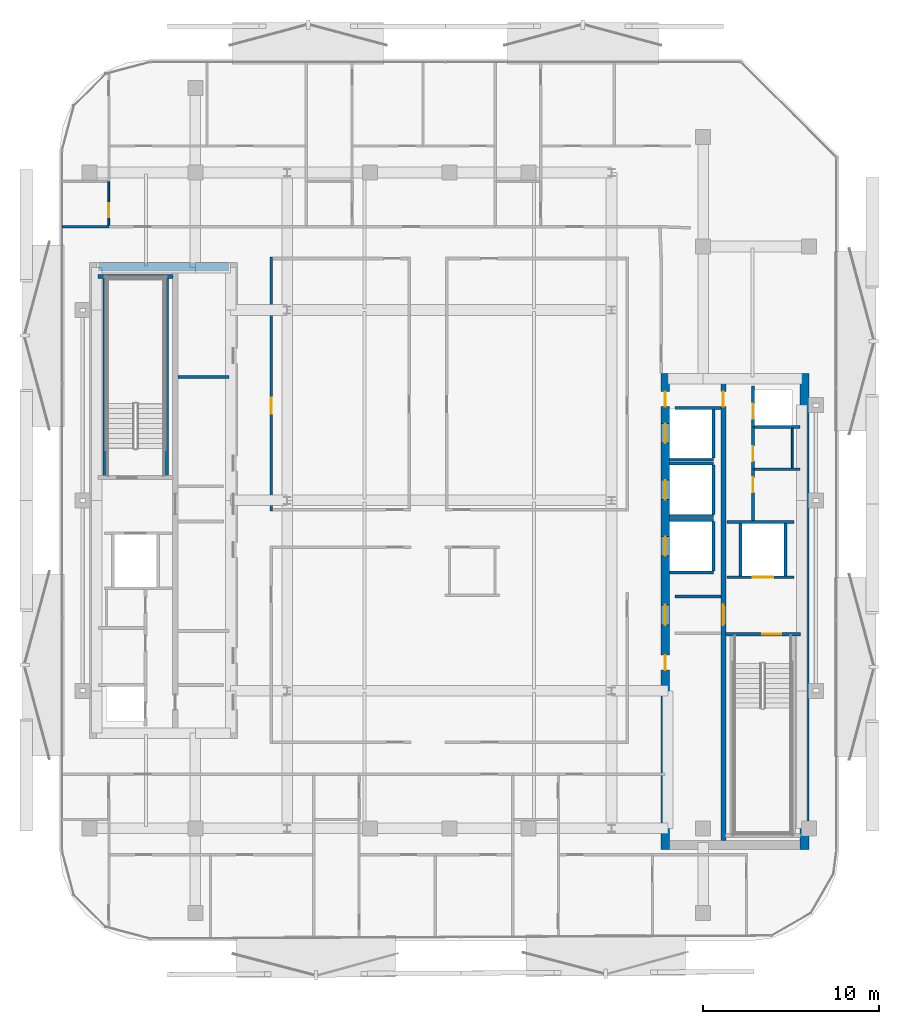
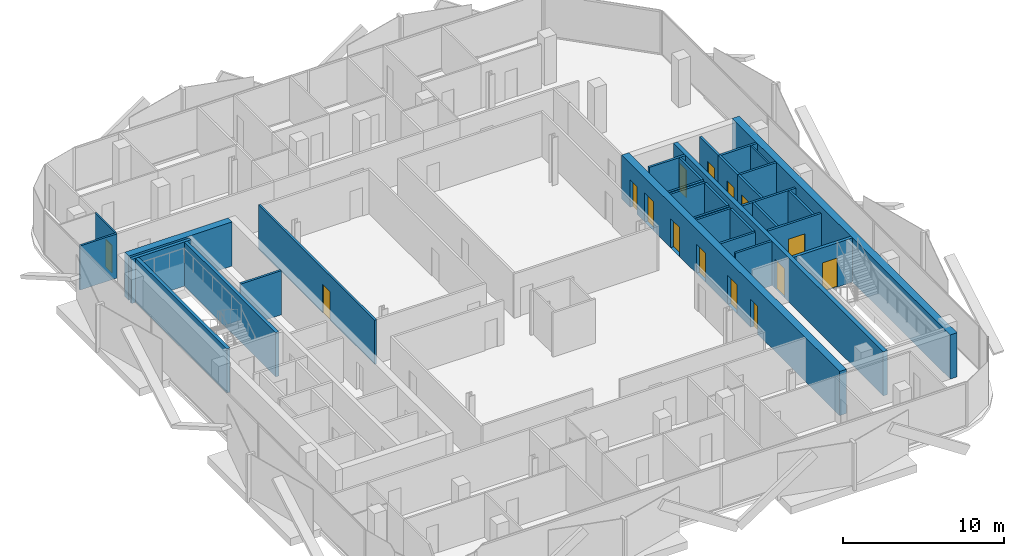
# One storey, part 5 of 15: 32 walls, 15 doors, 15 openings.
"""IFC4 building model written with IfcOpenShell, lengths in metres."""

from ifc_helpers import new_model, si_unit, direction, frame, frame_2d, origin, place, context, subcontext, project, spatial, rectangle, extrude, material, layer, layer_set, type_object, element, fill, save


model = new_model("IFC4")

# Units and contexts
model_context = context("Model", 3, precision=1e-05, world=origin(), true_north=direction((0.0, 1.0)))
body_context = subcontext(model_context, "Body", "Model", "MODEL_VIEW")
ifc_project = project(units=[si_unit("LENGTHUNIT", "METRE"), si_unit("AREAUNIT", "SQUARE_METRE"), si_unit("VOLUMEUNIT", "CUBIC_METRE"), si_unit("PLANEANGLEUNIT", "RADIAN"), si_unit("MASSUNIT", "GRAM", prefix="KILO")], contexts=[model_context])

# Site, building, storey
site_placement = place(None, origin())
site = spatial("IfcSite", under=ifc_project, at=site_placement, CompositionType="ELEMENT")
building_placement = place(site_placement, origin())
building = spatial("IfcBuilding", under=site, at=building_placement, Name="Khairoan Windgate Tower", CompositionType="ELEMENT")
storey_placement = place(building_placement, frame((0.0, 0.0, 244.0)))
storey = spatial("IfcBuildingStorey", under=building, at=storey_placement, Name="L57", CompositionType="ELEMENT", Elevation=244.0)

# Wall, opening, door
ifc_material_1 = material(Name="Moisture-Resistant Gypsum Partition", Category="gypsum")
ifc_layer_1 = layer(ifc_material_1, 0.10009765625, Name="Moisture-Resistant Gypsum Partition")
ifc_layer_set_1 = layer_set([ifc_layer_1], Name="Moisture-Resistant Gypsum Partition")
wall_type_1 = type_object("IfcWallType", Name="Bathroom Wet-Area Partition Wall", PredefinedType="PARTITIONING", material=ifc_layer_set_1)
wall_1_placement = place(storey_placement, frame((-19.31005859375, 15.60009765625, 0.0), z_axis=(0.0, 0.0, 1.0), x_axis=(0.0, 1.0, 0.0)))
wall_1 = element("IfcWall", 1, at=wall_1_placement, inside=storey, type_object=wall_type_1, Name="L57 Interior Partition 042", PredefinedType="PARTITIONING", context=body_context, shape_type="SweptSolid", body=[
    extrude(rectangle(XDim=2.5, YDim=0.10009765625, at=frame_2d((1.25, 0.0))), origin(), (0.0, 0.0, 1.0), 3.340087890625),
])
opening_1_placement = place(wall_1_placement, frame((0.4599609375, 0.0, 0.0)))
opening_1 = element("IfcOpeningElement", 2, at=opening_1_placement, cuts=wall_1, Name="Opening ID-BTH", PredefinedType="OPENING", context=body_context, shape_type="SweptSolid", body=[
    extrude(rectangle(XDim=0.800048828125, YDim=2.10009765625, at=frame_2d((0.39990234375, 1.050048828125))), frame((0.0, 0.06005859375, 0.0), z_axis=(0.0, -1.0, 0.0), x_axis=(1.0, 0.0, 0.0)), (0.0, 0.0, 1.0), 0.1201171875),
])
ifc_material_2 = material(Name="Teak Veneer Timber Leaf", Category="wood")
door_type_1 = type_object("IfcDoorType", Name="Internal Bathroom Door ID-BTH 800x2100", OperationType="NOTDEFINED", PredefinedType="DOOR", material=ifc_material_2)
door_1_placement = place(opening_1_placement, origin())
door_1 = element("IfcDoor", 3, at=door_1_placement, inside=storey, type_object=door_type_1, Name="L57 L57-33-L57-35 Door", OperationType="SINGLE_SWING_LEFT", OverallHeight=2.10009765625, OverallWidth=0.800048828125, PredefinedType="DOOR", context=body_context, shape_type="SweptSolid", body=[
    extrude(rectangle(XDim=0.800048828125, YDim=2.10009765625, at=frame_2d((0.39990234375, 1.050048828125))), frame((0.0, 0.02490234375, 0.0), z_axis=(0.0, -1.0, 0.0), x_axis=(1.0, 0.0, 0.0)), (0.0, 0.0, 1.0), 0.050048828125),
])
fill(opening_1, door_1)

# Walls
wall_2_placement = place(storey_placement, frame((19.449951171875, 4.090087890625, 0.0), z_axis=(0.0, 0.0, 1.0), x_axis=(0.0, -1.0, 0.0)))
element("IfcWall", 4, at=wall_2_placement, inside=storey, type_object=wall_type_1, Name="L57 Wet Room Side Wall 099", PredefinedType="PARTITIONING", context=body_context, shape_type="SweptSolid", body=[
    extrude(rectangle(XDim=2.239990234375, YDim=0.10009765625, at=frame_2d((1.1201171875, 0.0))), origin(), (0.0, 0.0, 1.0), 3.340087890625),
])
ifc_material_3 = material(Name="Concrete C40/50", Category="concrete")
ifc_layer_2 = layer(ifc_material_3, 0.159912109375, Name="Concrete C40/50")
ifc_layer_set_2 = layer_set([ifc_layer_2], Name="Concrete C40/50")
wall_type_2 = type_object("IfcWallType", Name="Core and Hoistway Enclosure Wall", PredefinedType="STANDARD", material=ifc_layer_set_2)
wall_3_placement = place(storey_placement, frame((12.5, 2.31005859375, 0.0), z_axis=(0.0, 0.0, 1.0), x_axis=(1.0, 0.0, 0.0)))
element("IfcWall", 5, at=wall_3_placement, inside=storey, type_object=wall_type_2, Name="L57 Lift PL7 Hoistway Divider S", PredefinedType="STANDARD", context=body_context, shape_type="SweptSolid", body=[
    extrude(rectangle(XDim=2.489990234375, YDim=0.159912109375, at=frame_2d((1.2451171875, 0.0))), origin(), (0.0, 0.0, 1.0), 3.340087890625),
])
wall_4_placement = place(storey_placement, frame((14.989990234375, 2.39990234375, 0.0), z_axis=(0.0, 0.0, 1.0), x_axis=(0.0, 1.0, 0.0)))
element("IfcWall", 6, at=wall_4_placement, inside=storey, type_object=wall_type_2, Name="L57 Lift PL7 Hoistway Back Wall", PredefinedType="STANDARD", context=body_context, shape_type="SweptSolid", body=[
    extrude(rectangle(XDim=2.800048828125, YDim=0.159912109375, at=frame_2d((1.39990234375, 0.0))), origin(), (0.0, 0.0, 1.0), 3.340087890625),
])
for number, where, z_axis, x_axis, name in (
    (7, (12.5, -0.889892578125, 0.0), (0.0, 0.0, 1.0), (1.0, 0.0, 0.0), "L57 Lift PL8 Hoistway Divider S"),
    (8, (12.5, 2.090087890625, 0.0), (0.0, 0.0, 1.0), (1.0, 0.0, 0.0), "L57 Lift PL8 Hoistway Divider N"),
):
    element("IfcWall", number, at=place(storey_placement, frame(where, z_axis=z_axis, x_axis=x_axis)), inside=storey, type_object=wall_type_2, Name=name, PredefinedType="STANDARD", context=body_context, shape_type="SweptSolid", body=[
        extrude(rectangle(XDim=2.489990234375, YDim=0.159912109375, at=frame_2d((1.2451171875, 0.0))), origin(), (0.0, 0.0, 1.0), 3.340087890625),
    ])
wall_5_placement = place(storey_placement, frame((14.989990234375, -0.800048828125, 0.0), z_axis=(0.0, 0.0, 1.0), x_axis=(0.0, 1.0, 0.0)))
element("IfcWall", 9, at=wall_5_placement, inside=storey, type_object=wall_type_2, Name="L57 Lift PL8 Hoistway Back Wall", PredefinedType="STANDARD", context=body_context, shape_type="SweptSolid", body=[
    extrude(rectangle(XDim=2.800048828125, YDim=0.159912109375, at=frame_2d((1.39990234375, 0.0))), origin(), (0.0, 0.0, 1.0), 3.340087890625),
])
for number, where, z_axis, x_axis, name in (
    (10, (12.5, -4.090087890625, 0.0), (0.0, 0.0, 1.0), (1.0, 0.0, 0.0), "L57 Lift PL9 Hoistway Divider S"),
    (11, (12.5, -1.110107421875, 0.0), (0.0, 0.0, 1.0), (1.0, 0.0, 0.0), "L57 Lift PL9 Hoistway Divider N"),
):
    element("IfcWall", number, at=place(storey_placement, frame(where, z_axis=z_axis, x_axis=x_axis)), inside=storey, type_object=wall_type_2, Name=name, PredefinedType="STANDARD", context=body_context, shape_type="SweptSolid", body=[
        extrude(rectangle(XDim=2.489990234375, YDim=0.159912109375, at=frame_2d((1.2451171875, 0.0))), origin(), (0.0, 0.0, 1.0), 3.340087890625),
    ])
wall_6_placement = place(storey_placement, frame((14.989990234375, -4.0, 0.0), z_axis=(0.0, 0.0, 1.0), x_axis=(0.0, 1.0, 0.0)))
element("IfcWall", 12, at=wall_6_placement, inside=storey, type_object=wall_type_2, Name="L57 Lift PL9 Hoistway Back Wall", PredefinedType="STANDARD", context=body_context, shape_type="SweptSolid", body=[
    extrude(rectangle(XDim=2.800048828125, YDim=0.159912109375, at=frame_2d((1.39990234375, 0.0))), origin(), (0.0, 0.0, 1.0), 3.340087890625),
])

# Wall, opening, door
wall_7_placement = place(storey_placement, frame((15.75, -4.360107421875, 0.0), z_axis=(0.0, 0.0, 1.0), x_axis=(1.0, 0.0, 0.0)))
wall_7 = element("IfcWall", 13, at=wall_7_placement, inside=storey, type_object=wall_type_2, Name="L57 Core Shaft Wall SW-FL1-L57", PredefinedType="STANDARD", context=body_context, shape_type="SweptSolid", body=[
    extrude(rectangle(XDim=3.800048828125, YDim=0.159912109375, at=frame_2d((1.89990234375, 0.0))), origin(), (0.0, 0.0, 1.0), 3.340087890625),
])
opening_2_placement = place(wall_7_placement, frame((1.469970703125, 0.0, 0.0)))
opening_2 = element("IfcOpeningElement", 14, at=opening_2_placement, cuts=wall_7, Name="Opening LD-FL", PredefinedType="OPENING", context=body_context, shape_type="SweptSolid", body=[
    extrude(rectangle(XDim=1.14990234375, YDim=2.199951171875, at=frame_2d((0.574951171875, 1.10009765625))), frame((0.0, 0.08984375, 0.0), z_axis=(0.0, -1.0, 0.0), x_axis=(1.0, 0.0, 0.0)), (0.0, 0.0, 1.0), 0.179931640625),
])
ifc_material_4 = material(Name="Steel S355", Category="steel")
door_type_2 = type_object("IfcDoorType", Name="Firefighting Lift Sliding Landing Door LD-FL 1150x2200", OperationType="DOUBLE_DOOR_SLIDING", PredefinedType="DOOR", material=ifc_material_4)
door_2_placement = place(opening_2_placement, origin())
door_2 = element("IfcDoor", 15, at=door_2_placement, inside=storey, type_object=door_type_2, Name="L57 Firefighting Lift FL1 Landing Door", OperationType="DOUBLE_DOOR_SLIDING", OverallHeight=2.199951171875, OverallWidth=1.14990234375, PredefinedType="DOOR", context=body_context, shape_type="SweptSolid", body=[
    extrude(rectangle(XDim=1.14990234375, YDim=2.199951171875, at=frame_2d((0.574951171875, 1.10009765625))), frame((0.0, 0.02490234375, 0.0), z_axis=(0.0, -1.0, 0.0), x_axis=(1.0, 0.0, 0.0)), (0.0, 0.0, 1.0), 0.050048828125),
])
fill(opening_2, door_2)

# Walls
wall_8_placement = place(storey_placement, frame((15.75, -1.219970703125, 0.0), z_axis=(0.0, 0.0, 1.0), x_axis=(1.0, 0.0, 0.0)))
element("IfcWall", 16, at=wall_8_placement, inside=storey, type_object=wall_type_2, Name="L57 Core Shaft Wall SW-FL1T-L57", PredefinedType="STANDARD", context=body_context, shape_type="SweptSolid", body=[
    extrude(rectangle(XDim=3.800048828125, YDim=0.159912109375, at=frame_2d((1.89990234375, 0.0))), origin(), (0.0, 0.0, 1.0), 3.340087890625),
])
for number, where, z_axis, x_axis, name in (
    (17, (16.52001953125, -4.280029296875, 0.0), (0.0, 0.0, 1.0), (0.0, 1.0, 0.0), "L57 Core Shaft Wall SW-FL1W-L57"),
    (18, (19.080078125, -4.280029296875, 0.0), (0.0, 0.0, 1.0), (0.0, 1.0, 0.0), "L57 Core Shaft Wall SW-FL1E-L57"),
):
    element("IfcWall", number, at=place(storey_placement, frame(where, z_axis=z_axis, x_axis=x_axis)), inside=storey, type_object=wall_type_2, Name=name, PredefinedType="STANDARD", context=body_context, shape_type="SweptSolid", body=[
        extrude(rectangle(XDim=2.97998046875, YDim=0.159912109375, at=frame_2d((1.489990234375, 0.0))), origin(), (0.0, 0.0, 1.0), 3.340087890625),
    ])
for number, where, z_axis, x_axis, name in (
    (19, (12.800048828125, -5.449951171875, 0.0), (0.0, 0.0, 1.0), (1.0, 0.0, 0.0), "L57 Core Shaft Wall SW-EV1-L57"),
    (20, (12.800048828125, 5.25, 0.0), (0.0, 0.0, 1.0), (1.0, 0.0, 0.0), "L57 Core Shaft Wall SW-ESV-L57"),
):
    element("IfcWall", number, at=place(storey_placement, frame(where, z_axis=z_axis, x_axis=x_axis)), inside=storey, type_object=wall_type_2, Name=name, PredefinedType="STANDARD", context=body_context, shape_type="SweptSolid", body=[
        extrude(rectangle(XDim=2.599853515625, YDim=0.159912109375, at=frame_2d((1.2998046875, 0.0))), origin(), (0.0, 0.0, 1.0), 3.340087890625),
    ])
ifc_material_5 = material(Name="Concrete C40/50", Category="concrete")
ifc_layer_3 = layer(ifc_material_5, 0.159912109375, Name="Concrete C40/50")
ifc_layer_set_3 = layer_set([ifc_layer_3], Name="Concrete C40/50")
wall_type_3 = type_object("IfcWallType", Name="Plant and Refuge Compartment Wall", PredefinedType="PARTITIONING", material=ifc_layer_set_3)
wall_9_placement = place(storey_placement, frame((-15.39990234375, 7.0, 0.0), z_axis=(0.0, 0.0, 1.0), x_axis=(1.0, 0.0, 0.0)))
element("IfcWall", 21, at=wall_9_placement, inside=storey, type_object=wall_type_3, Name="L57 Interior Partition 006", PredefinedType="PARTITIONING", context=body_context, shape_type="SweptSolid", body=[
    extrude(rectangle(XDim=2.89990234375, YDim=0.159912109375, at=frame_2d((1.449951171875, 0.0))), origin(), (0.0, 0.0, 1.0), 3.340087890625),
])

# Wall, opening, door
wall_10_placement = place(storey_placement, frame((17.22998046875, 4.169921875, 0.0), z_axis=(0.0, 0.0, 1.0), x_axis=(0.0, 1.0, 0.0)))
wall_10 = element("IfcWall", 22, at=wall_10_placement, inside=storey, type_object=wall_type_3, Name="L57 Interior Partition 008", PredefinedType="PARTITIONING", context=body_context, shape_type="SweptSolid", body=[
    extrude(rectangle(XDim=2.320068359375, YDim=0.159912109375, at=frame_2d((1.16015625, 0.0))), origin(), (0.0, 0.0, 1.0), 3.340087890625),
])
opening_3_placement = place(wall_10_placement, frame((0.4599609375, 0.0, 0.0)))
opening_3 = element("IfcOpeningElement", 23, at=opening_3_placement, cuts=wall_10, Name="Opening FD-SRV", PredefinedType="OPENING", context=body_context, shape_type="SweptSolid", body=[
    extrude(rectangle(XDim=0.85009765625, YDim=2.10009765625, at=frame_2d((0.425048828125, 1.050048828125))), frame((0.0, 0.08984375, 0.0), z_axis=(0.0, -1.0, 0.0), x_axis=(1.0, 0.0, 0.0)), (0.0, 0.0, 1.0), 0.179931640625),
])
ifc_material_6 = material(Name="Steel S355", Category="steel")
door_type_3 = type_object("IfcDoorType", Name="Core Service and Riser Fire Door FD-SRV 850x2100", OperationType="NOTDEFINED", PredefinedType="DOOR", material=ifc_material_6)
door_3_placement = place(opening_3_placement, origin())
door_3 = element("IfcDoor", 24, at=door_3_placement, inside=storey, type_object=door_type_3, Name="L57 L57-17-L57-18 Door", OperationType="SINGLE_SWING_RIGHT", OverallHeight=2.10009765625, OverallWidth=0.85009765625, PredefinedType="DOOR", context=body_context, shape_type="SweptSolid", body=[
    extrude(rectangle(XDim=0.85009765625, YDim=2.10009765625, at=frame_2d((0.425048828125, 1.050048828125))), frame((0.0, 0.02490234375, 0.0), z_axis=(0.0, -1.0, 0.0), x_axis=(1.0, 0.0, 0.0)), (0.0, 0.0, 1.0), 0.050048828125),
])
fill(opening_3, door_3)

wall_11_placement = place(storey_placement, frame((17.22998046875, 1.77001953125, 0.0), z_axis=(0.0, 0.0, 1.0), x_axis=(0.0, 1.0, 0.0)))
wall_11 = element("IfcWall", 25, at=wall_11_placement, inside=storey, type_object=wall_type_3, Name="L57 Interior Partition 009", PredefinedType="PARTITIONING", context=body_context, shape_type="SweptSolid", body=[
    extrude(rectangle(XDim=2.39990234375, YDim=0.159912109375, at=frame_2d((1.199951171875, 0.0))), origin(), (0.0, 0.0, 1.0), 3.340087890625),
])
opening_4_placement = place(wall_11_placement, frame((0.4599609375, 0.0, 0.0)))
opening_4 = element("IfcOpeningElement", 26, at=opening_4_placement, cuts=wall_11, Name="Opening FD-SRV", PredefinedType="OPENING", context=body_context, shape_type="SweptSolid", body=[
    extrude(rectangle(XDim=0.85009765625, YDim=2.10009765625, at=frame_2d((0.425048828125, 1.050048828125))), frame((0.0, 0.08984375, 0.0), z_axis=(0.0, -1.0, 0.0), x_axis=(1.0, 0.0, 0.0)), (0.0, 0.0, 1.0), 0.179931640625),
])
door_4_placement = place(opening_4_placement, origin())
door_4 = element("IfcDoor", 27, at=door_4_placement, inside=storey, type_object=door_type_3, Name="L57 L57-17-L57-19 Door", OperationType="SINGLE_SWING_LEFT", OverallHeight=2.10009765625, OverallWidth=0.85009765625, PredefinedType="DOOR", context=body_context, shape_type="SweptSolid", body=[
    extrude(rectangle(XDim=0.85009765625, YDim=2.10009765625, at=frame_2d((0.425048828125, 1.050048828125))), frame((0.0, 0.02490234375, 0.0), z_axis=(0.0, -1.0, 0.0), x_axis=(1.0, 0.0, 0.0)), (0.0, 0.0, 1.0), 0.050048828125),
])
fill(opening_4, door_4)

wall_12_placement = place(storey_placement, frame((17.22998046875, -1.139892578125, 0.0), z_axis=(0.0, 0.0, 1.0), x_axis=(0.0, 1.0, 0.0)))
wall_12 = element("IfcWall", 28, at=wall_12_placement, inside=storey, type_object=wall_type_3, Name="L57 Interior Partition 010", PredefinedType="PARTITIONING", context=body_context, shape_type="SweptSolid", body=[
    extrude(rectangle(XDim=2.909912109375, YDim=0.159912109375, at=frame_2d((1.455078125, 0.0))), origin(), (0.0, 0.0, 1.0), 3.340087890625),
])
opening_5_placement = place(wall_12_placement, frame((1.60009765625, 0.0, 0.0)))
opening_5 = element("IfcOpeningElement", 29, at=opening_5_placement, cuts=wall_12, Name="Opening FD-SRV", PredefinedType="OPENING", context=body_context, shape_type="SweptSolid", body=[
    extrude(rectangle(XDim=0.85009765625, YDim=2.10009765625, at=frame_2d((0.425048828125, 1.050048828125))), frame((0.0, 0.08984375, 0.0), z_axis=(0.0, -1.0, 0.0), x_axis=(1.0, 0.0, 0.0)), (0.0, 0.0, 1.0), 0.179931640625),
])
door_5_placement = place(opening_5_placement, origin())
door_5 = element("IfcDoor", 30, at=door_5_placement, inside=storey, type_object=door_type_3, Name="L57 L57-17-L57-20 Door", OperationType="SINGLE_SWING_RIGHT", OverallHeight=2.10009765625, OverallWidth=0.85009765625, PredefinedType="DOOR", context=body_context, shape_type="SweptSolid", body=[
    extrude(rectangle(XDim=0.85009765625, YDim=2.10009765625, at=frame_2d((0.425048828125, 1.050048828125))), frame((0.0, 0.02490234375, 0.0), z_axis=(0.0, -1.0, 0.0), x_axis=(1.0, 0.0, 0.0)), (0.0, 0.0, 1.0), 0.050048828125),
])
fill(opening_5, door_5)

# Walls
for number, where, z_axis, x_axis, name in (
    (31, (17.31005859375, 4.169921875, 0.0), (0.0, 0.0, 1.0), (1.0, 0.0, 0.0), "L57 Interior Partition 011"),
    (32, (17.31005859375, 1.77001953125, 0.0), (0.0, 0.0, 1.0), (1.0, 0.0, 0.0), "L57 Interior Partition 012"),
):
    element("IfcWall", number, at=place(storey_placement, frame(where, z_axis=z_axis, x_axis=x_axis)), inside=storey, type_object=wall_type_3, Name=name, PredefinedType="PARTITIONING", context=body_context, shape_type="SweptSolid", body=[
        extrude(rectangle(XDim=2.58984375, YDim=0.159912109375, at=frame_2d((1.294921875, 0.0))), origin(), (0.0, 0.0, 1.0), 3.340087890625),
    ])

# Wall, opening, door
ifc_material_7 = material(Name="Acoustic Fire-Rated Gypsum Partition", Category="gypsum")
ifc_layer_4 = layer(ifc_material_7, 0.14990234375, Name="Acoustic Fire-Rated Gypsum Partition")
ifc_layer_set_4 = layer_set([ifc_layer_4], Name="Acoustic Fire-Rated Gypsum Partition")
wall_type_4 = type_object("IfcWallType", Name="Rated Corridor Partition Wall", PredefinedType="PARTITIONING", material=ifc_layer_set_4)
wall_13_placement = place(storey_placement, frame((-10.10009765625, -0.610107421875, 0.0), z_axis=(0.0, 0.0, 1.0), x_axis=(0.0, 1.0, 0.0)))
wall_13 = element("IfcWall", 33, at=wall_13_placement, inside=storey, type_object=wall_type_4, Name="L57 Interior Partition 013", PredefinedType="PARTITIONING", context=body_context, shape_type="SweptSolid", body=[
    extrude(rectangle(XDim=14.405029296875, YDim=0.14990234375, at=frame_2d((7.20263671875, 0.0))), origin(), (0.0, 0.0, 1.0), 3.340087890625),
])
opening_6_placement = place(wall_13_placement, frame((5.53466796875, 0.0, 0.0)))
opening_6 = element("IfcOpeningElement", 34, at=opening_6_placement, cuts=wall_13, Name="Opening FD-ENT", PredefinedType="OPENING", context=body_context, shape_type="SweptSolid", body=[
    extrude(rectangle(XDim=0.89990234375, YDim=2.14990234375, at=frame_2d((0.449951171875, 1.074951171875))), frame((0.0, 0.0849609375, 0.0), z_axis=(0.0, -1.0, 0.0), x_axis=(1.0, 0.0, 0.0)), (0.0, 0.0, 1.0), 0.169921875),
])
ifc_material_8 = material(Name="Timber Fire-Rated Core", Category="wood")
door_type_4 = type_object("IfcDoorType", Name="Unit and Office Fire Entrance Door FD-ENT 900x2150", OperationType="NOTDEFINED", PredefinedType="DOOR", material=ifc_material_8)
door_6_placement = place(opening_6_placement, origin())
door_6 = element("IfcDoor", 35, at=door_6_placement, inside=storey, type_object=door_type_4, Name="L57 L57-27-L57-65 Door", OperationType="SINGLE_SWING_LEFT", OverallHeight=2.14990234375, OverallWidth=0.89990234375, PredefinedType="DOOR", context=body_context, shape_type="SweptSolid", body=[
    extrude(rectangle(XDim=0.89990234375, YDim=2.14990234375, at=frame_2d((0.449951171875, 1.074951171875))), frame((0.0, 0.02490234375, 0.0), z_axis=(0.0, -1.0, 0.0), x_axis=(1.0, 0.0, 0.0)), (0.0, 0.0, 1.0), 0.050048828125),
])
fill(opening_6, door_6)

# Wall
wall_14_placement = place(storey_placement, frame((-21.955078125, 15.52490234375, 0.0), z_axis=(0.0, 0.0, 1.0), x_axis=(1.0, 0.0, 0.0)))
element("IfcWall", 36, at=wall_14_placement, inside=storey, type_object=wall_type_4, Name="L57 Interior Partition 024", PredefinedType="PARTITIONING", context=body_context, shape_type="SweptSolid", body=[
    extrude(rectangle(XDim=2.64501953125, YDim=0.14990234375, at=frame_2d((1.322509765625, 0.0))), origin(), (0.0, 0.0, 1.0), 3.340087890625),
])

# Wall, openings, doors
ifc_material_9 = material(Name="Concrete C50/60", Category="concrete")
ifc_layer_5 = layer(ifc_material_9, 0.5, Name="Concrete C50/60")
ifc_layer_set_5 = layer_set([ifc_layer_5], Name="Concrete C50/60")
wall_type_5 = type_object("IfcWallType", Name="Shear Wall CW-E3 500mm", PredefinedType="SHEAR", material=ifc_layer_set_5)
wall_15_placement = place(storey_placement, frame((12.25, -19.800048828125, 0.0), z_axis=(0.0, 0.0, 1.0), x_axis=(0.0, 1.0, 0.0)))
wall_15 = element("IfcWall", 37, at=wall_15_placement, inside=storey, type_object=wall_type_5, Name="E Core West Shear Wall L57", PredefinedType="SHEAR", context=body_context, shape_type="SweptSolid", body=[
    extrude(rectangle(XDim=27.0, YDim=0.5, at=frame_2d((13.5, 0.0))), origin(), (0.0, 0.0, 1.0), 3.340087890625),
])
opening_7_placement = place(wall_15_placement, frame((23.050048828125, 0.0, 0.0)))
opening_7 = element("IfcOpeningElement", 38, at=opening_7_placement, cuts=wall_15, Name="Opening LD-PL", PredefinedType="OPENING", context=body_context, shape_type="SweptSolid", body=[
    extrude(rectangle(XDim=1.10009765625, YDim=2.199951171875, at=frame_2d((0.550048828125, 1.10009765625))), frame((0.0, 0.260009765625, 0.0), z_axis=(0.0, -1.0, 0.0), x_axis=(1.0, 0.0, 0.0)), (0.0, 0.0, 1.0), 0.52001953125),
])
opening_8_placement = place(wall_15_placement, frame((19.85009765625, 0.0, 0.0)))
opening_8 = element("IfcOpeningElement", 39, at=opening_8_placement, cuts=wall_15, Name="Opening LD-PL", PredefinedType="OPENING", context=body_context, shape_type="SweptSolid", body=[
    extrude(rectangle(XDim=1.10009765625, YDim=2.199951171875, at=frame_2d((0.550048828125, 1.10009765625))), frame((0.0, 0.260009765625, 0.0), z_axis=(0.0, -1.0, 0.0), x_axis=(1.0, 0.0, 0.0)), (0.0, 0.0, 1.0), 0.52001953125),
])
opening_9_placement = place(wall_15_placement, frame((16.64990234375, 0.0, 0.0)))
opening_9 = element("IfcOpeningElement", 40, at=opening_9_placement, cuts=wall_15, Name="Opening LD-PL", PredefinedType="OPENING", context=body_context, shape_type="SweptSolid", body=[
    extrude(rectangle(XDim=1.10009765625, YDim=2.199951171875, at=frame_2d((0.550048828125, 1.10009765625))), frame((0.0, 0.260009765625, 0.0), z_axis=(0.0, -1.0, 0.0), x_axis=(1.0, 0.0, 0.0)), (0.0, 0.0, 1.0), 0.52001953125),
])
opening_10_placement = place(wall_15_placement, frame((10.175048828125, 0.0, 0.0)))
opening_10 = element("IfcOpeningElement", 41, at=opening_10_placement, cuts=wall_15, Name="Opening FD-SRV", PredefinedType="OPENING", context=body_context, shape_type="SweptSolid", body=[
    extrude(rectangle(XDim=0.85009765625, YDim=2.10009765625, at=frame_2d((0.425048828125, 1.050048828125))), frame((0.0, 0.260009765625, 0.0), z_axis=(0.0, -1.0, 0.0), x_axis=(1.0, 0.0, 0.0)), (0.0, 0.0, 1.0), 0.52001953125),
])
opening_11_placement = place(wall_15_placement, frame((12.72509765625, 0.0, 0.0)))
opening_11 = element("IfcOpeningElement", 42, at=opening_11_placement, cuts=wall_15, Name="Opening FD-FFL", PredefinedType="OPENING", context=body_context, shape_type="SweptSolid", body=[
    extrude(rectangle(XDim=1.14990234375, YDim=2.199951171875, at=frame_2d((0.574951171875, 1.10009765625))), frame((0.0, 0.260009765625, 0.0), z_axis=(0.0, -1.0, 0.0), x_axis=(1.0, 0.0, 0.0)), (0.0, 0.0, 1.0), 0.52001953125),
])
opening_12_placement = place(wall_15_placement, frame((25.125, 0.0, 0.0)))
opening_12 = element("IfcOpeningElement", 43, at=opening_12_placement, cuts=wall_15, Name="Opening FD-SRV", PredefinedType="OPENING", context=body_context, shape_type="SweptSolid", body=[
    extrude(rectangle(XDim=0.85009765625, YDim=2.10009765625, at=frame_2d((0.425048828125, 1.050048828125))), frame((0.0, 0.260009765625, 0.0), z_axis=(0.0, -1.0, 0.0), x_axis=(1.0, 0.0, 0.0)), (0.0, 0.0, 1.0), 0.52001953125),
])
door_7_placement = place(opening_10_placement, origin())
door_7 = element("IfcDoor", 44, at=door_7_placement, inside=storey, type_object=door_type_3, Name="L57 East Core Service Room Door 1", OperationType="SINGLE_SWING_RIGHT", OverallHeight=2.10009765625, OverallWidth=0.85009765625, PredefinedType="DOOR", context=body_context, shape_type="SweptSolid", body=[
    extrude(rectangle(XDim=0.85009765625, YDim=2.10009765625, at=frame_2d((0.425048828125, 1.050048828125))), frame((0.0, 0.02490234375, 0.0), z_axis=(0.0, -1.0, 0.0), x_axis=(1.0, 0.0, 0.0)), (0.0, 0.0, 1.0), 0.050048828125),
])
fill(opening_10, door_7)
door_8_placement = place(opening_12_placement, origin())
door_8 = element("IfcDoor", 45, at=door_8_placement, inside=storey, type_object=door_type_3, Name="L57 East Core Service Vestibule Outer Door", OperationType="SINGLE_SWING_LEFT", OverallHeight=2.10009765625, OverallWidth=0.85009765625, PredefinedType="DOOR", context=body_context, shape_type="SweptSolid", body=[
    extrude(rectangle(XDim=0.85009765625, YDim=2.10009765625, at=frame_2d((0.425048828125, 1.050048828125))), frame((0.0, 0.02490234375, 0.0), z_axis=(0.0, -1.0, 0.0), x_axis=(1.0, 0.0, 0.0)), (0.0, 0.0, 1.0), 0.050048828125),
])
fill(opening_12, door_8)
ifc_material_10 = material(Name="Steel S355", Category="steel")
door_type_5 = type_object("IfcDoorType", Name="Firefighting Lobby Fire Door FD-FFL 1150x2200", OperationType="NOTDEFINED", PredefinedType="DOOR", material=ifc_material_10)
door_9_placement = place(opening_11_placement, origin())
door_9 = element("IfcDoor", 46, at=door_9_placement, inside=storey, type_object=door_type_5, Name="L57 East Core Vestibule Entry Door", OperationType="SINGLE_SWING_LEFT", OverallHeight=2.199951171875, OverallWidth=1.14990234375, PredefinedType="DOOR", context=body_context, shape_type="SweptSolid", body=[
    extrude(rectangle(XDim=1.14990234375, YDim=2.199951171875, at=frame_2d((0.574951171875, 1.10009765625))), frame((0.0, 0.02490234375, 0.0), z_axis=(0.0, -1.0, 0.0), x_axis=(1.0, 0.0, 0.0)), (0.0, 0.0, 1.0), 0.050048828125),
])
fill(opening_11, door_9)
ifc_material_11 = material(Name="Anodised Bronze Aluminium 6063-T6", Category="aluminium")
door_type_6 = type_object("IfcDoorType", Name="Passenger Lift Sliding Landing Door LD-PL 1100x2200", OperationType="DOUBLE_DOOR_SLIDING", PredefinedType="DOOR", material=ifc_material_11)
door_10_placement = place(opening_7_placement, origin())
door_10 = element("IfcDoor", 47, at=door_10_placement, inside=storey, type_object=door_type_6, Name="L57 Lift PL7 Sliding Landing Door", OperationType="DOUBLE_DOOR_SLIDING", OverallHeight=2.199951171875, OverallWidth=1.10009765625, PredefinedType="DOOR", context=body_context, shape_type="SweptSolid", body=[
    extrude(rectangle(XDim=1.10009765625, YDim=2.199951171875, at=frame_2d((0.550048828125, 1.10009765625))), frame((0.0, 0.02490234375, 0.0), z_axis=(0.0, -1.0, 0.0), x_axis=(1.0, 0.0, 0.0)), (0.0, 0.0, 1.0), 0.050048828125),
])
fill(opening_7, door_10)
door_11_placement = place(opening_8_placement, origin())
door_11 = element("IfcDoor", 48, at=door_11_placement, inside=storey, type_object=door_type_6, Name="L57 Lift PL8 Sliding Landing Door", OperationType="DOUBLE_DOOR_SLIDING", OverallHeight=2.199951171875, OverallWidth=1.10009765625, PredefinedType="DOOR", context=body_context, shape_type="SweptSolid", body=[
    extrude(rectangle(XDim=1.10009765625, YDim=2.199951171875, at=frame_2d((0.550048828125, 1.10009765625))), frame((0.0, 0.02490234375, 0.0), z_axis=(0.0, -1.0, 0.0), x_axis=(1.0, 0.0, 0.0)), (0.0, 0.0, 1.0), 0.050048828125),
])
fill(opening_8, door_11)
door_12_placement = place(opening_9_placement, origin())
door_12 = element("IfcDoor", 49, at=door_12_placement, inside=storey, type_object=door_type_6, Name="L57 Lift PL9 Sliding Landing Door", OperationType="DOUBLE_DOOR_SLIDING", OverallHeight=2.199951171875, OverallWidth=1.10009765625, PredefinedType="DOOR", context=body_context, shape_type="SweptSolid", body=[
    extrude(rectangle(XDim=1.10009765625, YDim=2.199951171875, at=frame_2d((0.550048828125, 1.10009765625))), frame((0.0, 0.02490234375, 0.0), z_axis=(0.0, -1.0, 0.0), x_axis=(1.0, 0.0, 0.0)), (0.0, 0.0, 1.0), 0.050048828125),
])
fill(opening_9, door_12)

# Walls
wall_16_placement = place(storey_placement, frame((20.14990234375, -19.800048828125, 0.0), z_axis=(0.0, 0.0, 1.0), x_axis=(0.0, 1.0, 0.0)))
element("IfcWall", 50, at=wall_16_placement, inside=storey, type_object=wall_type_5, Name="E Core East Shear Wall L57", PredefinedType="SHEAR", context=body_context, shape_type="SweptSolid", body=[
    extrude(rectangle(XDim=27.0, YDim=0.5, at=frame_2d((13.5, 0.0))), origin(), (0.0, 0.0, 1.0), 3.340087890625),
])
ifc_material_12 = material(Name="Concrete C50/60", Category="concrete")
ifc_layer_6 = layer(ifc_material_12, 0.5, Name="Concrete C50/60")
ifc_layer_set_6 = layer_set([ifc_layer_6], Name="Concrete C50/60")
wall_type_6 = type_object("IfcWallType", Name="Shear Wall CW-W3 500mm", PredefinedType="SHEAR", material=ifc_layer_set_6)
wall_17_placement = place(storey_placement, frame((-19.89990234375, 13.25, 0.0), z_axis=(0.0, 0.0, 1.0), x_axis=(1.0, 0.0, 0.0)))
element("IfcWall", 51, at=wall_17_placement, inside=storey, type_object=wall_type_6, Name="W Core North Shear Wall L57", PredefinedType="SHEAR", context=body_context, shape_type="SweptSolid", body=[
    extrude(rectangle(XDim=7.39990234375, YDim=0.5, at=frame_2d((3.699951171875, 0.0))), origin(), (0.0, 0.0, 1.0), 3.340087890625),
])

# Wall, openings, doors
ifc_material_13 = material(Name="Concrete C50/60", Category="concrete")
ifc_layer_7 = layer(ifc_material_13, 0.300048828125, Name="Concrete C50/60")
ifc_layer_set_7 = layer_set([ifc_layer_7], Name="Concrete C50/60")
wall_type_7 = type_object("IfcWallType", Name="Shear Wall SW-2 300mm", PredefinedType="SHEAR", material=ifc_layer_set_7)
wall_18_placement = place(storey_placement, frame((15.550048828125, -19.300048828125, 0.0), z_axis=(0.0, 0.0, 1.0), x_axis=(0.0, 1.0, 0.0)))
wall_18 = element("IfcWall", 52, at=wall_18_placement, inside=storey, type_object=wall_type_7, Name="E Core Spine Shear Wall L57", PredefinedType="SHEAR", context=body_context, shape_type="SweptSolid", body=[
    extrude(rectangle(XDim=26.0, YDim=0.300048828125, at=frame_2d((13.0, 0.0))), origin(), (0.0, 0.0, 1.0), 3.340087890625),
])
opening_13_placement = place(wall_18_placement, frame((12.22509765625, 0.0, 0.0)))
opening_13 = element("IfcOpeningElement", 53, at=opening_13_placement, cuts=wall_18, Name="Opening FD-FFL", PredefinedType="OPENING", context=body_context, shape_type="SweptSolid", body=[
    extrude(rectangle(XDim=1.14990234375, YDim=2.199951171875, at=frame_2d((0.574951171875, 1.10009765625))), frame((0.0, 0.159912109375, 0.0), z_axis=(0.0, -1.0, 0.0), x_axis=(1.0, 0.0, 0.0)), (0.0, 0.0, 1.0), 0.320068359375),
])
opening_14_placement = place(wall_18_placement, frame((24.625, 0.0, 0.0)))
opening_14 = element("IfcOpeningElement", 54, at=opening_14_placement, cuts=wall_18, Name="Opening FD-SRV", PredefinedType="OPENING", context=body_context, shape_type="SweptSolid", body=[
    extrude(rectangle(XDim=0.85009765625, YDim=2.10009765625, at=frame_2d((0.425048828125, 1.050048828125))), frame((0.0, 0.159912109375, 0.0), z_axis=(0.0, -1.0, 0.0), x_axis=(1.0, 0.0, 0.0)), (0.0, 0.0, 1.0), 0.320068359375),
])
door_13_placement = place(opening_14_placement, origin())
door_13 = element("IfcDoor", 55, at=door_13_placement, inside=storey, type_object=door_type_3, Name="L57 East Core Service Passage Inner Door", OperationType="SINGLE_SWING_RIGHT", OverallHeight=2.10009765625, OverallWidth=0.85009765625, PredefinedType="DOOR", context=body_context, shape_type="SweptSolid", body=[
    extrude(rectangle(XDim=0.85009765625, YDim=2.10009765625, at=frame_2d((0.425048828125, 1.050048828125))), frame((0.0, 0.02490234375, 0.0), z_axis=(0.0, -1.0, 0.0), x_axis=(1.0, 0.0, 0.0)), (0.0, 0.0, 1.0), 0.050048828125),
])
fill(opening_14, door_13)
door_14_placement = place(opening_13_placement, origin())
door_14 = element("IfcDoor", 56, at=door_14_placement, inside=storey, type_object=door_type_5, Name="L57 East Firefighting Lobby Fire Door", OperationType="SINGLE_SWING_RIGHT", OverallHeight=2.199951171875, OverallWidth=1.14990234375, PredefinedType="DOOR", context=body_context, shape_type="SweptSolid", body=[
    extrude(rectangle(XDim=1.14990234375, YDim=2.199951171875, at=frame_2d((0.574951171875, 1.10009765625))), frame((0.0, 0.02490234375, 0.0), z_axis=(0.0, -1.0, 0.0), x_axis=(1.0, 0.0, 0.0)), (0.0, 0.0, 1.0), 0.050048828125),
])
fill(opening_13, door_14)

# Wall, opening, door
ifc_material_14 = material(Name="Concrete C50/60", Category="concrete")
ifc_layer_8 = layer(ifc_material_14, 0.219970703125, Name="Concrete C50/60")
ifc_layer_set_8 = layer_set([ifc_layer_8], Name="Concrete C50/60")
wall_type_8 = type_object("IfcWallType", Name="Shear Wall SW-ST 220mm", PredefinedType="SHEAR", material=ifc_layer_set_8)
wall_19_placement = place(storey_placement, frame((19.919921875, -7.590087890625, 0.0), z_axis=(0.0, 0.0, 1.0), x_axis=(-1.0, 0.0, 0.0)))
wall_19 = element("IfcWall", 57, at=wall_19_placement, inside=storey, type_object=wall_type_8, Name="L57 Stair ST1 North Bearing Wall", PredefinedType="SHEAR", context=body_context, shape_type="SweptSolid", body=[
    extrude(rectangle(XDim=4.239990234375, YDim=0.219970703125, at=frame_2d((2.1201171875, 0.0))), origin(), (0.0, 0.0, 1.0), 3.340087890625),
])
opening_15_placement = place(wall_19_placement, frame((1.080078125, 0.0, 0.0)))
opening_15 = element("IfcOpeningElement", 58, at=opening_15_placement, cuts=wall_19, Name="Opening FD-ST", PredefinedType="OPENING", context=body_context, shape_type="SweptSolid", body=[
    extrude(rectangle(XDim=1.10009765625, YDim=2.199951171875, at=frame_2d((0.550048828125, 1.10009765625))), frame((0.0, 0.119873046875, 0.0), z_axis=(0.0, -1.0, 0.0), x_axis=(1.0, 0.0, 0.0)), (0.0, 0.0, 1.0), 0.239990234375),
])
ifc_material_15 = material(Name="Steel S355", Category="steel")
door_type_7 = type_object("IfcDoorType", Name="Smokeproof Stair Fire Door FD-ST 1100x2200", OperationType="NOTDEFINED", PredefinedType="DOOR", material=ifc_material_15)
door_15_placement = place(opening_15_placement, origin())
door_15 = element("IfcDoor", 59, at=door_15_placement, inside=storey, type_object=door_type_7, Name="L57 Stair ST1 Fire Door", OperationType="SINGLE_SWING_RIGHT", OverallHeight=2.199951171875, OverallWidth=1.10009765625, PredefinedType="DOOR", context=body_context, shape_type="SweptSolid", body=[
    extrude(rectangle(XDim=1.10009765625, YDim=2.199951171875, at=frame_2d((0.550048828125, 1.10009765625))), frame((0.0, 0.02490234375, 0.0), z_axis=(0.0, -1.0, 0.0), x_axis=(1.0, 0.0, 0.0)), (0.0, 0.0, 1.0), 0.050048828125),
])
fill(opening_15, door_15)

# Walls
for number, where, z_axis, x_axis, name in (
    (60, (-16.0400390625, 1.2900390625, 0.0), (0.0, 0.0, 1.0), (0.0, 1.0, 0.0), "L57 Stair ST2 East Bearing Wall"),
    (61, (-19.530029296875, 1.2900390625, 0.0), (0.0, 0.0, 1.0), (0.0, 1.0, 0.0), "L57 Stair ST2 West Bearing Wall"),
):
    element("IfcWall", number, at=place(storey_placement, frame(where, z_axis=z_axis, x_axis=x_axis)), inside=storey, type_object=wall_type_8, Name=name, PredefinedType="SHEAR", context=body_context, shape_type="SweptSolid", body=[
        extrude(rectangle(XDim=11.419921875, YDim=0.219970703125, at=frame_2d((5.7099609375, 0.0))), origin(), (0.0, 0.0, 1.0), 3.340087890625),
    ])
wall_20_placement = place(storey_placement, frame((-19.919921875, 12.7099609375, 0.0), z_axis=(0.0, 0.0, 1.0), x_axis=(1.0, 0.0, 0.0)))
element("IfcWall", 62, at=wall_20_placement, inside=storey, type_object=wall_type_8, Name="L57 Stair ST2 North Bearing Wall", PredefinedType="SHEAR", context=body_context, shape_type="SweptSolid", body=[
    extrude(rectangle(XDim=4.239990234375, YDim=0.219970703125, at=frame_2d((2.1201171875, 0.0))), origin(), (0.0, 0.0, 1.0), 3.340087890625),
])

save(model, "model.ifc")
